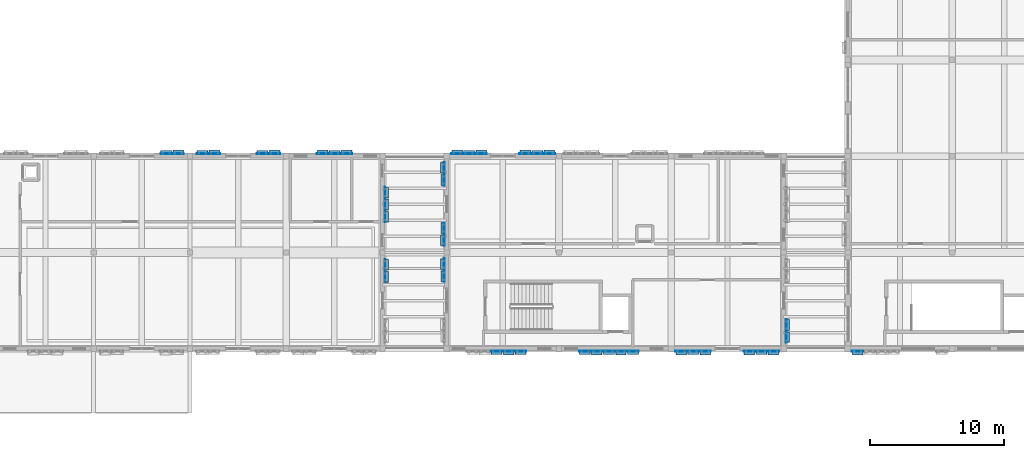
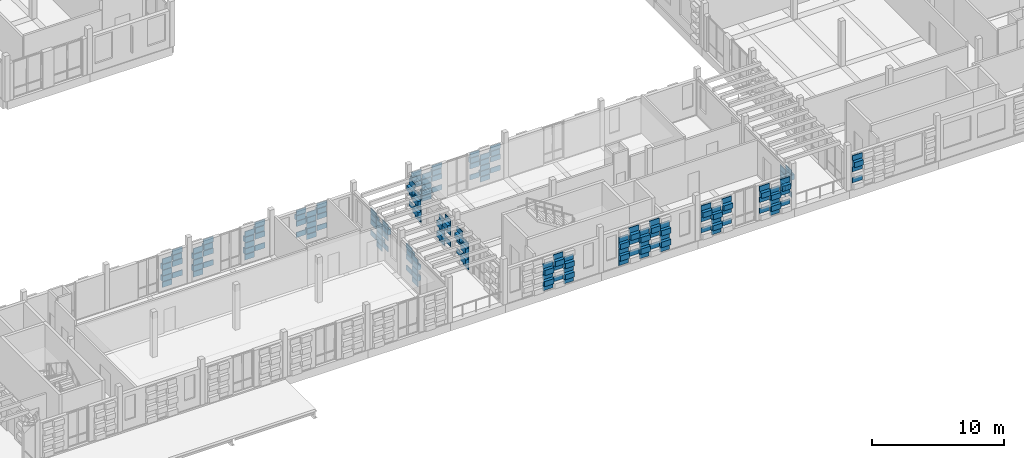
# One storey, part 60 of 99: 191 plates.
"""IFC4 building model written with IfcOpenShell, lengths in metres."""

from ifc_helpers import new_model, si_unit, direction, frame, origin, origin_2d, place, context, subcontext, project, spatial, rectangle, extrude, material, layer, layer_set, type_object, element, save


model = new_model("IFC4")

# Units and contexts
model_context = context("Model", 3, precision=1e-05, world=origin(), true_north=direction((0.0, 1.0)))
body_context = subcontext(model_context, "Body", "Model", "MODEL_VIEW")
ifc_project = project(units=[si_unit("LENGTHUNIT", "METRE"), si_unit("AREAUNIT", "SQUARE_METRE"), si_unit("VOLUMEUNIT", "CUBIC_METRE"), si_unit("PLANEANGLEUNIT", "RADIAN"), si_unit("MASSUNIT", "GRAM", prefix="KILO")], contexts=[model_context])

# Site, building, storey
site_placement = place(None, origin())
site = spatial("IfcSite", under=ifc_project, at=site_placement, CompositionType="ELEMENT")
building_placement = place(site_placement, origin())
building = spatial("IfcBuilding", under=site, at=building_placement, Name="Kahlenmark Community Centre", CompositionType="ELEMENT")
storey_placement = place(building_placement, frame((0.0, 0.0, 5.39990234375)))
storey = spatial("IfcBuildingStorey", under=building, at=storey_placement, Name="L01", CompositionType="ELEMENT", Elevation=5.39990234375)

# Plates
ifc_material_1 = material(Name="Extruded warm terracotta recessed weave tile", Category="masonry")
ifc_layer_1 = layer(ifc_material_1, 0.06005859375)
ifc_layer_set_1 = layer_set([ifc_layer_1], Name="Extruded warm terracotta recessed weave tile")
plate_type_1 = type_object("IfcPlateType", Name="PLT-TC-TC-R10-840X60X468", PredefinedType="SHEET", material=ifc_layer_set_1)
for number, where, z_axis, x_axis, name in (
    (1, (83.219970703125, 23.3798828125, 0.10009765625), (0.0, 0.0, 1.0), (-1.0, 0.0, 0.0), "Basketweave terracotta cassette 1151"),
    (2, (83.219970703125, 23.3798828125, 1.1162109375), (0.0, 0.0, 1.0), (-1.0, 0.0, 0.0), "Basketweave terracotta cassette 1153"),
    (3, (83.219970703125, 23.3798828125, 2.13232421875), (0.0, 0.0, 1.0), (-1.0, 0.0, 0.0), "Basketweave terracotta cassette 1155"),
    (4, (86.97998046875, 14.179931640625, 0.10009765625), (0.0, 0.0, 1.0), (0.0, 1.0, 0.0), "Basketweave terracotta cassette 1223"),
    (5, (86.97998046875, 14.179931640625, 1.1162109375), (0.0, 0.0, 1.0), (0.0, 1.0, 0.0), "Basketweave terracotta cassette 1225"),
    (6, (86.97998046875, 14.179931640625, 2.13232421875), (0.0, 0.0, 1.0), (0.0, 1.0, 0.0), "Basketweave terracotta cassette 1227"),
    (7, (86.97998046875, 19.580078125, 0.10009765625), (0.0, 0.0, 1.0), (0.0, 1.0, 0.0), "Basketweave terracotta cassette 1241"),
    (8, (86.97998046875, 19.580078125, 1.1162109375), (0.0, 0.0, 1.0), (0.0, 1.0, 0.0), "Basketweave terracotta cassette 1243"),
    (9, (86.97998046875, 19.580078125, 2.13232421875), (0.0, 0.0, 1.0), (0.0, 1.0, 0.0), "Basketweave terracotta cassette 1245"),
    (10, (95.330078125, 8.6201171875, 0.10009765625), (0.0, 0.0, 1.0), (1.0, 0.0, 0.0), "Basketweave terracotta cassette 1265"),
    (11, (95.330078125, 8.6201171875, 1.1162109375), (0.0, 0.0, 1.0), (1.0, 0.0, 0.0), "Basketweave terracotta cassette 1267"),
    (12, (95.330078125, 8.6201171875, 2.13232421875), (0.0, 0.0, 1.0), (1.0, 0.0, 0.0), "Basketweave terracotta cassette 1269"),
    (13, (97.1298828125, 8.6201171875, 0.10009765625), (0.0, 0.0, 1.0), (1.0, 0.0, 0.0), "Basketweave terracotta cassette 1277"),
    (14, (97.1298828125, 8.6201171875, 1.1162109375), (0.0, 0.0, 1.0), (1.0, 0.0, 0.0), "Basketweave terracotta cassette 1279"),
    (15, (97.1298828125, 8.6201171875, 2.13232421875), (0.0, 0.0, 1.0), (1.0, 0.0, 0.0), "Basketweave terracotta cassette 1281"),
    (16, (110.030029296875, 8.6201171875, 0.10009765625), (0.0, 0.0, 1.0), (1.0, 0.0, 0.0), "Basketweave terracotta cassette 1319"),
    (17, (110.030029296875, 8.6201171875, 1.1162109375), (0.0, 0.0, 1.0), (1.0, 0.0, 0.0), "Basketweave terracotta cassette 1321"),
    (18, (110.030029296875, 8.6201171875, 2.13232421875), (0.0, 0.0, 1.0), (1.0, 0.0, 0.0), "Basketweave terracotta cassette 1323"),
    (19, (115.1298828125, 8.6201171875, 0.10009765625), (0.0, 0.0, 1.0), (1.0, 0.0, 0.0), "Basketweave terracotta cassette 1337"),
    (20, (115.1298828125, 8.6201171875, 1.1162109375), (0.0, 0.0, 1.0), (1.0, 0.0, 0.0), "Basketweave terracotta cassette 1339"),
    (21, (115.1298828125, 8.6201171875, 2.13232421875), (0.0, 0.0, 1.0), (1.0, 0.0, 0.0), "Basketweave terracotta cassette 1341"),
    (22, (98.3701171875, 23.3798828125, 0.10009765625), (0.0, 0.0, 1.0), (-1.0, 0.0, 0.0), "Basketweave terracotta cassette 1355"),
    (23, (98.3701171875, 23.3798828125, 1.1162109375), (0.0, 0.0, 1.0), (-1.0, 0.0, 0.0), "Basketweave terracotta cassette 1357"),
    (24, (98.3701171875, 23.3798828125, 2.13232421875), (0.0, 0.0, 1.0), (-1.0, 0.0, 0.0), "Basketweave terracotta cassette 1359"),
    (25, (93.27001953125, 23.3798828125, 0.10009765625), (0.0, 0.0, 1.0), (-1.0, 0.0, 0.0), "Basketweave terracotta cassette 1373"),
    (26, (93.27001953125, 23.3798828125, 1.1162109375), (0.0, 0.0, 1.0), (-1.0, 0.0, 0.0), "Basketweave terracotta cassette 1375"),
    (27, (93.27001953125, 23.3798828125, 2.13232421875), (0.0, 0.0, 1.0), (-1.0, 0.0, 0.0), "Basketweave terracotta cassette 1377"),
    (28, (91.419921875, 14.219970703125, 0.10009765625), (0.0, 0.0, 1.0), (0.0, -1.0, 0.0), "Basketweave terracotta cassette 1457"),
    (29, (91.419921875, 14.219970703125, 1.1162109375), (0.0, 0.0, 1.0), (0.0, -1.0, 0.0), "Basketweave terracotta cassette 1459"),
    (30, (91.419921875, 14.219970703125, 2.13232421875), (0.0, 0.0, 1.0), (0.0, -1.0, 0.0), "Basketweave terracotta cassette 1461"),
    (31, (91.419921875, 21.419921875, 0.10009765625), (0.0, 0.0, 1.0), (0.0, -1.0, 0.0), "Basketweave terracotta cassette 1481"),
    (32, (91.419921875, 21.419921875, 1.1162109375), (0.0, 0.0, 1.0), (0.0, -1.0, 0.0), "Basketweave terracotta cassette 1483"),
    (33, (91.419921875, 21.419921875, 2.13232421875), (0.0, 0.0, 1.0), (0.0, -1.0, 0.0), "Basketweave terracotta cassette 1485"),
    (34, (91.419921875, 17.820068359375, 0.10009765625), (0.0, 0.0, 1.0), (0.0, -1.0, 0.0), "Basketweave terracotta cassette 1487"),
    (35, (91.419921875, 17.820068359375, 1.1162109375), (0.0, 0.0, 1.0), (0.0, -1.0, 0.0), "Basketweave terracotta cassette 1489"),
    (36, (91.419921875, 17.820068359375, 2.13232421875), (0.0, 0.0, 1.0), (0.0, -1.0, 0.0), "Basketweave terracotta cassette 1491"),
    (37, (116.97998046875, 10.580078125, 0.10009765625), (0.0, 0.0, 1.0), (0.0, 1.0, 0.0), "Basketweave terracotta cassette 1505"),
    (38, (116.97998046875, 10.580078125, 1.1162109375), (0.0, 0.0, 1.0), (0.0, 1.0, 0.0), "Basketweave terracotta cassette 1507"),
    (39, (116.97998046875, 10.580078125, 2.13232421875), (0.0, 0.0, 1.0), (0.0, 1.0, 0.0), "Basketweave terracotta cassette 1509"),
):
    element("IfcPlate", number, at=place(storey_placement, frame(where, z_axis=z_axis, x_axis=x_axis)), inside=storey, type_object=plate_type_1, Name=name, PredefinedType="SHEET", context=body_context, shape_type="SweptSolid", body=[
        extrude(rectangle(XDim=0.840087890625, YDim=0.06005859375, at=origin_2d()), origin(), (0.0, 0.0, 1.0), 0.468017578125),
    ])
ifc_layer_2 = layer(ifc_material_1, 0.06005859375)
ifc_layer_set_2 = layer_set([ifc_layer_2], Name="Extruded warm terracotta recessed weave tile")
plate_type_2 = type_object("IfcPlateType", Name="PLT-TC-TC-R10-840X60X495", PredefinedType="SHEET", material=ifc_layer_set_2)
for number, where, z_axis, x_axis, name in (
    (40, (70.6201171875, 23.3798828125, 0.10009765625), (0.0, 0.0, 1.0), (-1.0, 0.0, 0.0), "Basketweave terracotta cassette 1103"),
    (41, (70.6201171875, 23.3798828125, 1.169921875), (0.0, 0.0, 1.0), (-1.0, 0.0, 0.0), "Basketweave terracotta cassette 1105"),
    (42, (70.6201171875, 23.3798828125, 2.239990234375), (0.0, 0.0, 1.0), (-1.0, 0.0, 0.0), "Basketweave terracotta cassette 1107"),
    (43, (77.820068359375, 23.3798828125, 0.10009765625), (0.0, 0.0, 1.0), (-1.0, 0.0, 0.0), "Basketweave terracotta cassette 1127"),
    (44, (77.820068359375, 23.3798828125, 1.169921875), (0.0, 0.0, 1.0), (-1.0, 0.0, 0.0), "Basketweave terracotta cassette 1129"),
    (45, (77.820068359375, 23.3798828125, 2.239990234375), (0.0, 0.0, 1.0), (-1.0, 0.0, 0.0), "Basketweave terracotta cassette 1131"),
    (46, (73.320068359375, 23.3798828125, 0.10009765625), (0.0, 0.0, 1.0), (-1.0, 0.0, 0.0), "Basketweave terracotta cassette 1139"),
    (47, (73.320068359375, 23.3798828125, 1.169921875), (0.0, 0.0, 1.0), (-1.0, 0.0, 0.0), "Basketweave terracotta cassette 1141"),
    (48, (73.320068359375, 23.3798828125, 2.239990234375), (0.0, 0.0, 1.0), (-1.0, 0.0, 0.0), "Basketweave terracotta cassette 1143"),
    (49, (101.929931640625, 8.6201171875, 0.10009765625), (0.0, 0.0, 1.0), (1.0, 0.0, 0.0), "Basketweave terracotta cassette 1283"),
    (50, (101.929931640625, 8.6201171875, 1.169921875), (0.0, 0.0, 1.0), (1.0, 0.0, 0.0), "Basketweave terracotta cassette 1285"),
    (51, (101.929931640625, 8.6201171875, 2.239990234375), (0.0, 0.0, 1.0), (1.0, 0.0, 0.0), "Basketweave terracotta cassette 1287"),
    (52, (103.72998046875, 8.6201171875, 0.10009765625), (0.0, 0.0, 1.0), (1.0, 0.0, 0.0), "Basketweave terracotta cassette 1295"),
    (53, (103.72998046875, 8.6201171875, 1.169921875), (0.0, 0.0, 1.0), (1.0, 0.0, 0.0), "Basketweave terracotta cassette 1297"),
    (54, (103.72998046875, 8.6201171875, 2.239990234375), (0.0, 0.0, 1.0), (1.0, 0.0, 0.0), "Basketweave terracotta cassette 1299"),
    (55, (105.530029296875, 8.6201171875, 0.10009765625), (0.0, 0.0, 1.0), (1.0, 0.0, 0.0), "Basketweave terracotta cassette 1307"),
    (56, (105.530029296875, 8.6201171875, 1.169921875), (0.0, 0.0, 1.0), (1.0, 0.0, 0.0), "Basketweave terracotta cassette 1309"),
    (57, (105.530029296875, 8.6201171875, 2.239990234375), (0.0, 0.0, 1.0), (1.0, 0.0, 0.0), "Basketweave terracotta cassette 1311"),
):
    element("IfcPlate", number, at=place(storey_placement, frame(where, z_axis=z_axis, x_axis=x_axis)), inside=storey, type_object=plate_type_2, Name=name, PredefinedType="SHEET", context=body_context, shape_type="SweptSolid", body=[
        extrude(rectangle(XDim=0.840087890625, YDim=0.06005859375, at=origin_2d()), origin(), (0.0, 0.0, 1.0), 0.4951171875),
    ])
ifc_layer_3 = layer(ifc_material_1, 0.06005859375)
ifc_layer_set_3 = layer_set([ifc_layer_3], Name="Extruded warm terracotta recessed weave tile")
plate_type_3 = type_object("IfcPlateType", Name="PLT-TC-TC-R10-860X60X468", PredefinedType="SHEET", material=ifc_layer_set_3)
for number, where, z_axis, x_axis, name in (
    (58, (84.1201171875, 23.3798828125, 0.60791015625), (0.0, 0.0, 1.0), (-1.0, 0.0, 0.0), "Basketweave terracotta cassette 1146"),
    (59, (84.1201171875, 23.3798828125, 1.6240234375), (0.0, 0.0, 1.0), (-1.0, 0.0, 0.0), "Basketweave terracotta cassette 1148"),
    (60, (84.1201171875, 23.3798828125, 2.64013671875), (0.0, 0.0, 1.0), (-1.0, 0.0, 0.0), "Basketweave terracotta cassette 1150"),
    (61, (82.320068359375, 23.3798828125, 0.60791015625), (0.0, 0.0, 1.0), (-1.0, 0.0, 0.0), "Basketweave terracotta cassette 1158"),
    (62, (82.320068359375, 23.3798828125, 1.6240234375), (0.0, 0.0, 1.0), (-1.0, 0.0, 0.0), "Basketweave terracotta cassette 1160"),
    (63, (82.320068359375, 23.3798828125, 2.64013671875), (0.0, 0.0, 1.0), (-1.0, 0.0, 0.0), "Basketweave terracotta cassette 1162"),
    (64, (86.97998046875, 15.080078125, 0.60791015625), (0.0, 0.0, 1.0), (0.0, 1.0, 0.0), "Basketweave terracotta cassette 1230"),
    (65, (86.97998046875, 15.080078125, 1.6240234375), (0.0, 0.0, 1.0), (0.0, 1.0, 0.0), "Basketweave terracotta cassette 1232"),
    (66, (86.97998046875, 15.080078125, 2.64013671875), (0.0, 0.0, 1.0), (0.0, 1.0, 0.0), "Basketweave terracotta cassette 1234"),
    (67, (86.97998046875, 18.679931640625, 0.60791015625), (0.0, 0.0, 1.0), (0.0, 1.0, 0.0), "Basketweave terracotta cassette 1236"),
    (68, (86.97998046875, 18.679931640625, 1.6240234375), (0.0, 0.0, 1.0), (0.0, 1.0, 0.0), "Basketweave terracotta cassette 1238"),
    (69, (86.97998046875, 18.679931640625, 2.64013671875), (0.0, 0.0, 1.0), (0.0, 1.0, 0.0), "Basketweave terracotta cassette 1240"),
    (70, (86.97998046875, 20.47998046875, 0.60791015625), (0.0, 0.0, 1.0), (0.0, 1.0, 0.0), "Basketweave terracotta cassette 1248"),
    (71, (86.97998046875, 20.47998046875, 1.6240234375), (0.0, 0.0, 1.0), (0.0, 1.0, 0.0), "Basketweave terracotta cassette 1250"),
    (72, (86.97998046875, 20.47998046875, 2.64013671875), (0.0, 0.0, 1.0), (0.0, 1.0, 0.0), "Basketweave terracotta cassette 1252"),
    (73, (96.22998046875, 8.6201171875, 0.60791015625), (0.0, 0.0, 1.0), (1.0, 0.0, 0.0), "Basketweave terracotta cassette 1272"),
    (74, (96.22998046875, 8.6201171875, 1.6240234375), (0.0, 0.0, 1.0), (1.0, 0.0, 0.0), "Basketweave terracotta cassette 1274"),
    (75, (96.22998046875, 8.6201171875, 2.64013671875), (0.0, 0.0, 1.0), (1.0, 0.0, 0.0), "Basketweave terracotta cassette 1276"),
    (76, (109.1298828125, 8.6201171875, 0.60791015625), (0.0, 0.0, 1.0), (1.0, 0.0, 0.0), "Basketweave terracotta cassette 1314"),
    (77, (109.1298828125, 8.6201171875, 1.6240234375), (0.0, 0.0, 1.0), (1.0, 0.0, 0.0), "Basketweave terracotta cassette 1316"),
    (78, (109.1298828125, 8.6201171875, 2.64013671875), (0.0, 0.0, 1.0), (1.0, 0.0, 0.0), "Basketweave terracotta cassette 1318"),
    (79, (110.929931640625, 8.6201171875, 0.60791015625), (0.0, 0.0, 1.0), (1.0, 0.0, 0.0), "Basketweave terracotta cassette 1326"),
    (80, (110.929931640625, 8.6201171875, 1.6240234375), (0.0, 0.0, 1.0), (1.0, 0.0, 0.0), "Basketweave terracotta cassette 1328"),
    (81, (110.929931640625, 8.6201171875, 2.64013671875), (0.0, 0.0, 1.0), (1.0, 0.0, 0.0), "Basketweave terracotta cassette 1330"),
    (82, (114.22998046875, 8.6201171875, 0.60791015625), (0.0, 0.0, 1.0), (1.0, 0.0, 0.0), "Basketweave terracotta cassette 1332"),
    (83, (114.22998046875, 8.6201171875, 1.6240234375), (0.0, 0.0, 1.0), (1.0, 0.0, 0.0), "Basketweave terracotta cassette 1334"),
    (84, (114.22998046875, 8.6201171875, 2.64013671875), (0.0, 0.0, 1.0), (1.0, 0.0, 0.0), "Basketweave terracotta cassette 1336"),
    (85, (116.030029296875, 8.6201171875, 0.60791015625), (0.0, 0.0, 1.0), (1.0, 0.0, 0.0), "Basketweave terracotta cassette 1344"),
    (86, (116.030029296875, 8.6201171875, 1.6240234375), (0.0, 0.0, 1.0), (1.0, 0.0, 0.0), "Basketweave terracotta cassette 1346"),
    (87, (116.030029296875, 8.6201171875, 2.64013671875), (0.0, 0.0, 1.0), (1.0, 0.0, 0.0), "Basketweave terracotta cassette 1348"),
    (88, (99.27001953125, 23.3798828125, 0.60791015625), (0.0, 0.0, 1.0), (-1.0, 0.0, 0.0), "Basketweave terracotta cassette 1350"),
    (89, (99.27001953125, 23.3798828125, 1.6240234375), (0.0, 0.0, 1.0), (-1.0, 0.0, 0.0), "Basketweave terracotta cassette 1352"),
    (90, (99.27001953125, 23.3798828125, 2.64013671875), (0.0, 0.0, 1.0), (-1.0, 0.0, 0.0), "Basketweave terracotta cassette 1354"),
    (91, (97.469970703125, 23.3798828125, 0.60791015625), (0.0, 0.0, 1.0), (-1.0, 0.0, 0.0), "Basketweave terracotta cassette 1362"),
    (92, (97.469970703125, 23.3798828125, 1.6240234375), (0.0, 0.0, 1.0), (-1.0, 0.0, 0.0), "Basketweave terracotta cassette 1364"),
    (93, (97.469970703125, 23.3798828125, 2.64013671875), (0.0, 0.0, 1.0), (-1.0, 0.0, 0.0), "Basketweave terracotta cassette 1366"),
    (94, (94.169921875, 23.3798828125, 0.60791015625), (0.0, 0.0, 1.0), (-1.0, 0.0, 0.0), "Basketweave terracotta cassette 1368"),
    (95, (94.169921875, 23.3798828125, 1.6240234375), (0.0, 0.0, 1.0), (-1.0, 0.0, 0.0), "Basketweave terracotta cassette 1370"),
    (96, (94.169921875, 23.3798828125, 2.64013671875), (0.0, 0.0, 1.0), (-1.0, 0.0, 0.0), "Basketweave terracotta cassette 1372"),
    (97, (92.3701171875, 23.3798828125, 0.60791015625), (0.0, 0.0, 1.0), (-1.0, 0.0, 0.0), "Basketweave terracotta cassette 1380"),
    (98, (92.3701171875, 23.3798828125, 1.6240234375), (0.0, 0.0, 1.0), (-1.0, 0.0, 0.0), "Basketweave terracotta cassette 1382"),
    (99, (92.3701171875, 23.3798828125, 2.64013671875), (0.0, 0.0, 1.0), (-1.0, 0.0, 0.0), "Basketweave terracotta cassette 1384"),
    (100, (91.419921875, 15.1201171875, 0.60791015625), (0.0, 0.0, 1.0), (0.0, -1.0, 0.0), "Basketweave terracotta cassette 1452"),
    (101, (91.419921875, 15.1201171875, 1.6240234375), (0.0, 0.0, 1.0), (0.0, -1.0, 0.0), "Basketweave terracotta cassette 1454"),
    (102, (91.419921875, 15.1201171875, 2.64013671875), (0.0, 0.0, 1.0), (0.0, -1.0, 0.0), "Basketweave terracotta cassette 1456"),
    (103, (91.419921875, 22.320068359375, 0.60791015625), (0.0, 0.0, 1.0), (0.0, -1.0, 0.0), "Basketweave terracotta cassette 1476"),
    (104, (91.419921875, 22.320068359375, 1.6240234375), (0.0, 0.0, 1.0), (0.0, -1.0, 0.0), "Basketweave terracotta cassette 1478"),
    (105, (91.419921875, 22.320068359375, 2.64013671875), (0.0, 0.0, 1.0), (0.0, -1.0, 0.0), "Basketweave terracotta cassette 1480"),
    (106, (91.419921875, 16.919921875, 0.60791015625), (0.0, 0.0, 1.0), (0.0, -1.0, 0.0), "Basketweave terracotta cassette 1494"),
    (107, (91.419921875, 16.919921875, 1.6240234375), (0.0, 0.0, 1.0), (0.0, -1.0, 0.0), "Basketweave terracotta cassette 1496"),
    (108, (91.419921875, 16.919921875, 2.64013671875), (0.0, 0.0, 1.0), (0.0, -1.0, 0.0), "Basketweave terracotta cassette 1498"),
    (109, (116.97998046875, 9.679931640625, 0.60791015625), (0.0, 0.0, 1.0), (0.0, 1.0, 0.0), "Basketweave terracotta cassette 1500"),
    (110, (116.97998046875, 9.679931640625, 1.6240234375), (0.0, 0.0, 1.0), (0.0, 1.0, 0.0), "Basketweave terracotta cassette 1502"),
    (111, (116.97998046875, 9.679931640625, 2.64013671875), (0.0, 0.0, 1.0), (0.0, 1.0, 0.0), "Basketweave terracotta cassette 1504"),
    (112, (122.330078125, 8.6201171875, 0.60791015625), (0.0, 0.0, 1.0), (1.0, 0.0, 0.0), "Basketweave terracotta cassette 1542"),
    (113, (122.330078125, 8.6201171875, 1.6240234375), (0.0, 0.0, 1.0), (1.0, 0.0, 0.0), "Basketweave terracotta cassette 1544"),
    (114, (122.330078125, 8.6201171875, 2.64013671875), (0.0, 0.0, 1.0), (1.0, 0.0, 0.0), "Basketweave terracotta cassette 1546"),
):
    element("IfcPlate", number, at=place(storey_placement, frame(where, z_axis=z_axis, x_axis=x_axis)), inside=storey, type_object=plate_type_3, Name=name, PredefinedType="SHEET", context=body_context, shape_type="SweptSolid", body=[
        extrude(rectangle(XDim=0.860107421875, YDim=0.06005859375, at=origin_2d()), origin(), (0.0, 0.0, 1.0), 0.468017578125),
    ])
ifc_layer_4 = layer(ifc_material_1, 0.06005859375)
ifc_layer_set_4 = layer_set([ifc_layer_4], Name="Extruded warm terracotta recessed weave tile")
plate_type_4 = type_object("IfcPlateType", Name="PLT-TC-TC-R10-860X60X495", PredefinedType="SHEET", material=ifc_layer_set_4)
for number, where, z_axis, x_axis, name in (
    (115, (71.52001953125, 23.3798828125, 0.635009765625), (0.0, 0.0, 1.0), (-1.0, 0.0, 0.0), "Basketweave terracotta cassette 1098"),
    (116, (71.52001953125, 23.3798828125, 1.705078125), (0.0, 0.0, 1.0), (-1.0, 0.0, 0.0), "Basketweave terracotta cassette 1100"),
    (117, (71.52001953125, 23.3798828125, 2.775146484375), (0.0, 0.0, 1.0), (-1.0, 0.0, 0.0), "Basketweave terracotta cassette 1102"),
    (118, (78.719970703125, 23.3798828125, 0.635009765625), (0.0, 0.0, 1.0), (-1.0, 0.0, 0.0), "Basketweave terracotta cassette 1122"),
    (119, (78.719970703125, 23.3798828125, 1.705078125), (0.0, 0.0, 1.0), (-1.0, 0.0, 0.0), "Basketweave terracotta cassette 1124"),
    (120, (78.719970703125, 23.3798828125, 2.775146484375), (0.0, 0.0, 1.0), (-1.0, 0.0, 0.0), "Basketweave terracotta cassette 1126"),
    (121, (74.219970703125, 23.3798828125, 0.635009765625), (0.0, 0.0, 1.0), (-1.0, 0.0, 0.0), "Basketweave terracotta cassette 1134"),
    (122, (74.219970703125, 23.3798828125, 1.705078125), (0.0, 0.0, 1.0), (-1.0, 0.0, 0.0), "Basketweave terracotta cassette 1136"),
    (123, (74.219970703125, 23.3798828125, 2.775146484375), (0.0, 0.0, 1.0), (-1.0, 0.0, 0.0), "Basketweave terracotta cassette 1138"),
    (124, (102.830078125, 8.6201171875, 0.635009765625), (0.0, 0.0, 1.0), (1.0, 0.0, 0.0), "Basketweave terracotta cassette 1290"),
    (125, (102.830078125, 8.6201171875, 1.705078125), (0.0, 0.0, 1.0), (1.0, 0.0, 0.0), "Basketweave terracotta cassette 1292"),
    (126, (102.830078125, 8.6201171875, 2.775146484375), (0.0, 0.0, 1.0), (1.0, 0.0, 0.0), "Basketweave terracotta cassette 1294"),
    (127, (104.6298828125, 8.6201171875, 0.635009765625), (0.0, 0.0, 1.0), (1.0, 0.0, 0.0), "Basketweave terracotta cassette 1302"),
    (128, (104.6298828125, 8.6201171875, 1.705078125), (0.0, 0.0, 1.0), (1.0, 0.0, 0.0), "Basketweave terracotta cassette 1304"),
    (129, (104.6298828125, 8.6201171875, 2.775146484375), (0.0, 0.0, 1.0), (1.0, 0.0, 0.0), "Basketweave terracotta cassette 1306"),
):
    element("IfcPlate", number, at=place(storey_placement, frame(where, z_axis=z_axis, x_axis=x_axis)), inside=storey, type_object=plate_type_4, Name=name, PredefinedType="SHEET", context=body_context, shape_type="SweptSolid", body=[
        extrude(rectangle(XDim=0.860107421875, YDim=0.06005859375, at=origin_2d()), origin(), (0.0, 0.0, 1.0), 0.4951171875),
    ])
ifc_material_2 = material(Name="Extruded glazed terracotta weave cassette", Category="masonry")
ifc_layer_5 = layer(ifc_material_2, 0.300048828125)
ifc_layer_set_5 = layer_set([ifc_layer_5], Name="Extruded glazed terracotta weave cassette")
plate_type_5 = type_object("IfcPlateType", Name="PLT-TC-TC-R34-780X300X468", PredefinedType="SHEET", material=ifc_layer_set_5)
for number, where, z_axis, x_axis, name in (
    (130, (84.1201171875, 23.5, 2.13232421875), (0.0, 0.0, 1.0), (-1.0, 0.0, 0.0), "Basketweave terracotta cassette 1149"),
    (131, (82.320068359375, 23.5, 2.13232421875), (0.0, 0.0, 1.0), (-1.0, 0.0, 0.0), "Basketweave terracotta cassette 1161"),
    (132, (87.10009765625, 15.080078125, 2.13232421875), (0.0, 0.0, 1.0), (0.0, 1.0, 0.0), "Basketweave terracotta cassette 1233"),
    (133, (87.10009765625, 18.679931640625, 2.13232421875), (0.0, 0.0, 1.0), (0.0, 1.0, 0.0), "Basketweave terracotta cassette 1239"),
    (134, (87.10009765625, 20.47998046875, 2.13232421875), (0.0, 0.0, 1.0), (0.0, 1.0, 0.0), "Basketweave terracotta cassette 1251"),
    (135, (96.22998046875, 8.5, 2.13232421875), (0.0, 0.0, 1.0), (1.0, 0.0, 0.0), "Basketweave terracotta cassette 1275"),
    (136, (109.1298828125, 8.5, 2.13232421875), (0.0, 0.0, 1.0), (1.0, 0.0, 0.0), "Basketweave terracotta cassette 1317"),
    (137, (110.929931640625, 8.5, 2.13232421875), (0.0, 0.0, 1.0), (1.0, 0.0, 0.0), "Basketweave terracotta cassette 1329"),
    (138, (114.22998046875, 8.5, 2.13232421875), (0.0, 0.0, 1.0), (1.0, 0.0, 0.0), "Basketweave terracotta cassette 1335"),
    (139, (116.030029296875, 8.5, 2.13232421875), (0.0, 0.0, 1.0), (1.0, 0.0, 0.0), "Basketweave terracotta cassette 1347"),
    (140, (99.27001953125, 23.5, 2.13232421875), (0.0, 0.0, 1.0), (-1.0, 0.0, 0.0), "Basketweave terracotta cassette 1353"),
    (141, (97.469970703125, 23.5, 2.13232421875), (0.0, 0.0, 1.0), (-1.0, 0.0, 0.0), "Basketweave terracotta cassette 1365"),
    (142, (94.169921875, 23.5, 2.13232421875), (0.0, 0.0, 1.0), (-1.0, 0.0, 0.0), "Basketweave terracotta cassette 1371"),
    (143, (92.3701171875, 23.5, 2.13232421875), (0.0, 0.0, 1.0), (-1.0, 0.0, 0.0), "Basketweave terracotta cassette 1383"),
    (144, (91.300048828125, 15.1201171875, 2.13232421875), (0.0, 0.0, 1.0), (0.0, -1.0, 0.0), "Basketweave terracotta cassette 1455"),
    (145, (91.300048828125, 22.320068359375, 2.13232421875), (0.0, 0.0, 1.0), (0.0, -1.0, 0.0), "Basketweave terracotta cassette 1479"),
    (146, (91.300048828125, 16.919921875, 2.13232421875), (0.0, 0.0, 1.0), (0.0, -1.0, 0.0), "Basketweave terracotta cassette 1497"),
    (147, (117.10009765625, 9.679931640625, 2.13232421875), (0.0, 0.0, 1.0), (0.0, 1.0, 0.0), "Basketweave terracotta cassette 1503"),
    (148, (122.330078125, 8.5, 2.13232421875), (0.0, 0.0, 1.0), (1.0, 0.0, 0.0), "Basketweave terracotta cassette 1545"),
):
    element("IfcPlate", number, at=place(storey_placement, frame(where, z_axis=z_axis, x_axis=x_axis)), inside=storey, type_object=plate_type_5, Name=name, PredefinedType="SHEET", context=body_context, shape_type="SweptSolid", body=[
        extrude(rectangle(XDim=0.780029296875, YDim=0.300048828125, at=origin_2d()), origin(), (0.0, 0.0, 1.0), 0.468017578125),
    ])
ifc_layer_6 = layer(ifc_material_2, 0.300048828125)
ifc_layer_set_6 = layer_set([ifc_layer_6], Name="Extruded glazed terracotta weave cassette")
plate_type_6 = type_object("IfcPlateType", Name="PLT-TC-TC-R34-780X300X495", PredefinedType="SHEET", material=ifc_layer_set_6)
for number, where, z_axis, x_axis, name in (
    (149, (71.52001953125, 23.5, 2.239990234375), (0.0, 0.0, 1.0), (-1.0, 0.0, 0.0), "Basketweave terracotta cassette 1101"),
    (150, (78.719970703125, 23.5, 2.239990234375), (0.0, 0.0, 1.0), (-1.0, 0.0, 0.0), "Basketweave terracotta cassette 1125"),
    (151, (74.219970703125, 23.5, 2.239990234375), (0.0, 0.0, 1.0), (-1.0, 0.0, 0.0), "Basketweave terracotta cassette 1137"),
    (152, (102.830078125, 8.5, 2.239990234375), (0.0, 0.0, 1.0), (1.0, 0.0, 0.0), "Basketweave terracotta cassette 1293"),
    (153, (104.6298828125, 8.5, 2.239990234375), (0.0, 0.0, 1.0), (1.0, 0.0, 0.0), "Basketweave terracotta cassette 1305"),
):
    element("IfcPlate", number, at=place(storey_placement, frame(where, z_axis=z_axis, x_axis=x_axis)), inside=storey, type_object=plate_type_6, Name=name, PredefinedType="SHEET", context=body_context, shape_type="SweptSolid", body=[
        extrude(rectangle(XDim=0.780029296875, YDim=0.300048828125, at=origin_2d()), origin(), (0.0, 0.0, 1.0), 0.4951171875),
    ])
ifc_layer_7 = layer(ifc_material_2, 0.280029296875)
ifc_layer_set_7 = layer_set([ifc_layer_7], Name="Extruded glazed terracotta weave cassette")
plate_type_7 = type_object("IfcPlateType", Name="PLT-TC-TC-W30-800X280X468", PredefinedType="SHEET", material=ifc_layer_set_7)
for number, where, z_axis, x_axis, name in (
    (154, (83.219970703125, 23.489990234375, 1.6240234375), (0.0, 0.0, 1.0), (-1.0, 0.0, 0.0), "Basketweave terracotta cassette 1154"),
    (155, (87.090087890625, 14.179931640625, 1.6240234375), (0.0, 0.0, 1.0), (0.0, 1.0, 0.0), "Basketweave terracotta cassette 1226"),
    (156, (87.090087890625, 19.580078125, 1.6240234375), (0.0, 0.0, 1.0), (0.0, 1.0, 0.0), "Basketweave terracotta cassette 1244"),
    (157, (95.330078125, 8.510009765625, 1.6240234375), (0.0, 0.0, 1.0), (1.0, 0.0, 0.0), "Basketweave terracotta cassette 1268"),
    (158, (97.1298828125, 8.510009765625, 1.6240234375), (0.0, 0.0, 1.0), (1.0, 0.0, 0.0), "Basketweave terracotta cassette 1280"),
    (159, (110.030029296875, 8.510009765625, 1.6240234375), (0.0, 0.0, 1.0), (1.0, 0.0, 0.0), "Basketweave terracotta cassette 1322"),
    (160, (115.1298828125, 8.510009765625, 1.6240234375), (0.0, 0.0, 1.0), (1.0, 0.0, 0.0), "Basketweave terracotta cassette 1340"),
    (161, (98.3701171875, 23.489990234375, 1.6240234375), (0.0, 0.0, 1.0), (-1.0, 0.0, 0.0), "Basketweave terracotta cassette 1358"),
    (162, (93.27001953125, 23.489990234375, 1.6240234375), (0.0, 0.0, 1.0), (-1.0, 0.0, 0.0), "Basketweave terracotta cassette 1376"),
    (163, (91.31005859375, 14.219970703125, 1.6240234375), (0.0, 0.0, 1.0), (0.0, -1.0, 0.0), "Basketweave terracotta cassette 1460"),
    (164, (91.31005859375, 21.419921875, 1.6240234375), (0.0, 0.0, 1.0), (0.0, -1.0, 0.0), "Basketweave terracotta cassette 1484"),
    (165, (91.31005859375, 17.820068359375, 1.6240234375), (0.0, 0.0, 1.0), (0.0, -1.0, 0.0), "Basketweave terracotta cassette 1490"),
    (166, (117.090087890625, 10.580078125, 1.6240234375), (0.0, 0.0, 1.0), (0.0, 1.0, 0.0), "Basketweave terracotta cassette 1508"),
):
    element("IfcPlate", number, at=place(storey_placement, frame(where, z_axis=z_axis, x_axis=x_axis)), inside=storey, type_object=plate_type_7, Name=name, PredefinedType="SHEET", context=body_context, shape_type="SweptSolid", body=[
        extrude(rectangle(XDim=0.800048828125, YDim=0.280029296875, at=origin_2d()), origin(), (0.0, 0.0, 1.0), 0.468017578125),
    ])
ifc_layer_8 = layer(ifc_material_2, 0.280029296875)
ifc_layer_set_8 = layer_set([ifc_layer_8], Name="Extruded glazed terracotta weave cassette")
plate_type_8 = type_object("IfcPlateType", Name="PLT-TC-TC-W30-800X280X495", PredefinedType="SHEET", material=ifc_layer_set_8)
for number, where, z_axis, x_axis, name in (
    (167, (70.6201171875, 23.489990234375, 1.705078125), (0.0, 0.0, 1.0), (-1.0, 0.0, 0.0), "Basketweave terracotta cassette 1106"),
    (168, (77.820068359375, 23.489990234375, 1.705078125), (0.0, 0.0, 1.0), (-1.0, 0.0, 0.0), "Basketweave terracotta cassette 1130"),
    (169, (73.320068359375, 23.489990234375, 1.705078125), (0.0, 0.0, 1.0), (-1.0, 0.0, 0.0), "Basketweave terracotta cassette 1142"),
    (170, (101.929931640625, 8.510009765625, 1.705078125), (0.0, 0.0, 1.0), (1.0, 0.0, 0.0), "Basketweave terracotta cassette 1286"),
    (171, (103.72998046875, 8.510009765625, 1.705078125), (0.0, 0.0, 1.0), (1.0, 0.0, 0.0), "Basketweave terracotta cassette 1298"),
    (172, (105.530029296875, 8.510009765625, 1.705078125), (0.0, 0.0, 1.0), (1.0, 0.0, 0.0), "Basketweave terracotta cassette 1310"),
):
    element("IfcPlate", number, at=place(storey_placement, frame(where, z_axis=z_axis, x_axis=x_axis)), inside=storey, type_object=plate_type_8, Name=name, PredefinedType="SHEET", context=body_context, shape_type="SweptSolid", body=[
        extrude(rectangle(XDim=0.800048828125, YDim=0.280029296875, at=origin_2d()), origin(), (0.0, 0.0, 1.0), 0.4951171875),
    ])
ifc_layer_9 = layer(ifc_material_2, 0.280029296875)
ifc_layer_set_9 = layer_set([ifc_layer_9], Name="Extruded glazed terracotta weave cassette")
plate_type_9 = type_object("IfcPlateType", Name="PLT-TC-TC-W30-820X280X468", PredefinedType="SHEET", material=ifc_layer_set_9)
for number, where, z_axis, x_axis, name in (
    (173, (83.219970703125, 23.489990234375, 0.60791015625), (0.0, 0.0, 1.0), (-1.0, 0.0, 0.0), "Basketweave terracotta cassette 1152"),
    (174, (87.090087890625, 14.179931640625, 0.60791015625), (0.0, 0.0, 1.0), (0.0, 1.0, 0.0), "Basketweave terracotta cassette 1224"),
    (175, (87.090087890625, 19.580078125, 0.60791015625), (0.0, 0.0, 1.0), (0.0, 1.0, 0.0), "Basketweave terracotta cassette 1242"),
    (176, (95.330078125, 8.510009765625, 0.60791015625), (0.0, 0.0, 1.0), (1.0, 0.0, 0.0), "Basketweave terracotta cassette 1266"),
    (177, (97.1298828125, 8.510009765625, 0.60791015625), (0.0, 0.0, 1.0), (1.0, 0.0, 0.0), "Basketweave terracotta cassette 1278"),
    (178, (110.030029296875, 8.510009765625, 0.60791015625), (0.0, 0.0, 1.0), (1.0, 0.0, 0.0), "Basketweave terracotta cassette 1320"),
    (179, (115.1298828125, 8.510009765625, 0.60791015625), (0.0, 0.0, 1.0), (1.0, 0.0, 0.0), "Basketweave terracotta cassette 1338"),
    (180, (98.3701171875, 23.489990234375, 0.60791015625), (0.0, 0.0, 1.0), (-1.0, 0.0, 0.0), "Basketweave terracotta cassette 1356"),
    (181, (93.27001953125, 23.489990234375, 0.60791015625), (0.0, 0.0, 1.0), (-1.0, 0.0, 0.0), "Basketweave terracotta cassette 1374"),
    (182, (91.31005859375, 14.219970703125, 0.60791015625), (0.0, 0.0, 1.0), (0.0, -1.0, 0.0), "Basketweave terracotta cassette 1458"),
    (183, (91.31005859375, 21.419921875, 0.60791015625), (0.0, 0.0, 1.0), (0.0, -1.0, 0.0), "Basketweave terracotta cassette 1482"),
    (184, (91.31005859375, 17.820068359375, 0.60791015625), (0.0, 0.0, 1.0), (0.0, -1.0, 0.0), "Basketweave terracotta cassette 1488"),
    (185, (117.090087890625, 10.580078125, 0.60791015625), (0.0, 0.0, 1.0), (0.0, 1.0, 0.0), "Basketweave terracotta cassette 1506"),
):
    element("IfcPlate", number, at=place(storey_placement, frame(where, z_axis=z_axis, x_axis=x_axis)), inside=storey, type_object=plate_type_9, Name=name, PredefinedType="SHEET", context=body_context, shape_type="SweptSolid", body=[
        extrude(rectangle(XDim=0.820068359375, YDim=0.280029296875, at=origin_2d()), origin(), (0.0, 0.0, 1.0), 0.468017578125),
    ])
ifc_layer_10 = layer(ifc_material_2, 0.280029296875)
ifc_layer_set_10 = layer_set([ifc_layer_10], Name="Extruded glazed terracotta weave cassette")
plate_type_10 = type_object("IfcPlateType", Name="PLT-TC-TC-W30-820X280X495", PredefinedType="SHEET", material=ifc_layer_set_10)
for number, where, z_axis, x_axis, name in (
    (186, (70.6201171875, 23.489990234375, 0.635009765625), (0.0, 0.0, 1.0), (-1.0, 0.0, 0.0), "Basketweave terracotta cassette 1104"),
    (187, (77.820068359375, 23.489990234375, 0.635009765625), (0.0, 0.0, 1.0), (-1.0, 0.0, 0.0), "Basketweave terracotta cassette 1128"),
    (188, (73.320068359375, 23.489990234375, 0.635009765625), (0.0, 0.0, 1.0), (-1.0, 0.0, 0.0), "Basketweave terracotta cassette 1140"),
    (189, (101.929931640625, 8.510009765625, 0.635009765625), (0.0, 0.0, 1.0), (1.0, 0.0, 0.0), "Basketweave terracotta cassette 1284"),
    (190, (103.72998046875, 8.510009765625, 0.635009765625), (0.0, 0.0, 1.0), (1.0, 0.0, 0.0), "Basketweave terracotta cassette 1296"),
    (191, (105.530029296875, 8.510009765625, 0.635009765625), (0.0, 0.0, 1.0), (1.0, 0.0, 0.0), "Basketweave terracotta cassette 1308"),
):
    element("IfcPlate", number, at=place(storey_placement, frame(where, z_axis=z_axis, x_axis=x_axis)), inside=storey, type_object=plate_type_10, Name=name, PredefinedType="SHEET", context=body_context, shape_type="SweptSolid", body=[
        extrude(rectangle(XDim=0.820068359375, YDim=0.280029296875, at=origin_2d()), origin(), (0.0, 0.0, 1.0), 0.4951171875),
    ])

save(model, "model.ifc")
